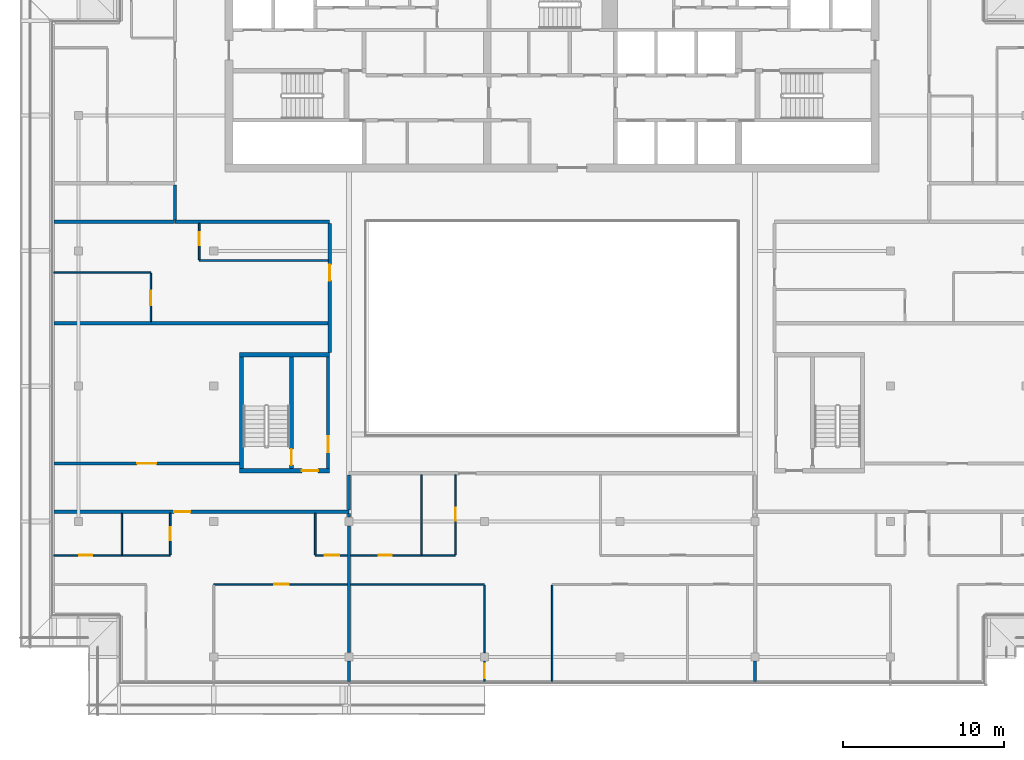
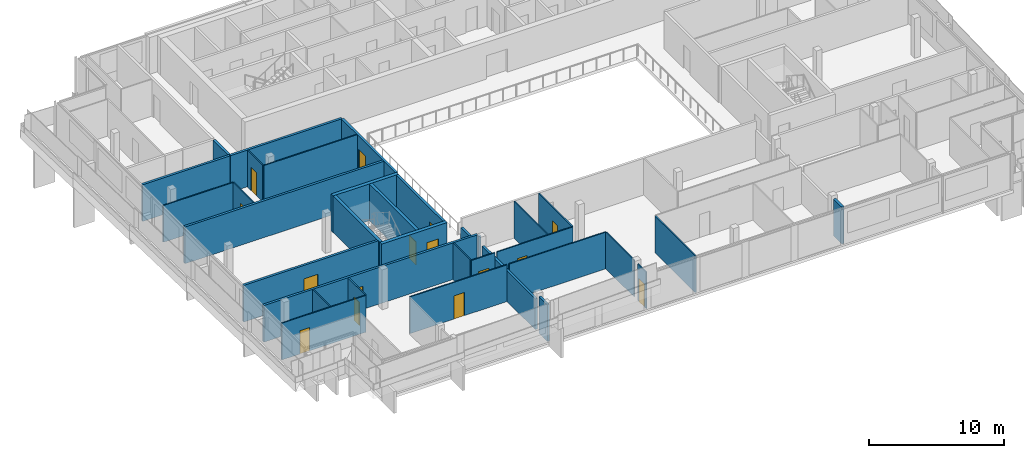
# One storey, part 15 of 27: 34 walls, 15 doors, 15 openings.
"""IFC4 building model written with IfcOpenShell, lengths in metres."""

from ifc_helpers import new_model, si_unit, direction, frame, frame_2d, origin, place, context, subcontext, project, spatial, rectangle, extrude, material, layer, layer_set, type_object, element, fill, save


model = new_model("IFC4")

# Units and contexts
model_context = context("Model", 3, precision=1e-05, world=origin(), true_north=direction((0.0, 1.0)))
body_context = subcontext(model_context, "Body", "Model", "MODEL_VIEW")
ifc_project = project(units=[si_unit("LENGTHUNIT", "METRE"), si_unit("AREAUNIT", "SQUARE_METRE"), si_unit("VOLUMEUNIT", "CUBIC_METRE"), si_unit("PLANEANGLEUNIT", "RADIAN"), si_unit("MASSUNIT", "GRAM", prefix="KILO")], contexts=[model_context])

# Site, building, storey
site_placement = place(None, origin())
site = spatial("IfcSite", under=ifc_project, at=site_placement, CompositionType="ELEMENT")
building_placement = place(site_placement, origin())
building = spatial("IfcBuilding", under=site, at=building_placement, Name="Saffron Gate Tower", CompositionType="ELEMENT")
storey_placement = place(building_placement, frame((0.0, 0.0, 274.35009765625)))
storey = spatial("IfcBuildingStorey", under=building, at=storey_placement, Name="L66", CompositionType="ELEMENT", Elevation=274.35009765625)

# Wall, opening, door
ifc_material_1 = material(Name="Gypsum board partition on steel studs", Category="steel")
ifc_layer_1 = layer(ifc_material_1, 0.199951171875)
ifc_layer_set_1 = layer_set([ifc_layer_1], Name="CW10 Core partition 200")
wall_type_1 = type_object("IfcWallType", Name="CW10 Core partition 200", PredefinedType="PARTITIONING", material=ifc_layer_set_1)
wall_1_placement = place(storey_placement, frame((73.699951171875, 43.5, 0.0), z_axis=(0.0, 0.0, 1.0), x_axis=(0.0, 1.0, 0.0)))
wall_1 = element("IfcWall", 1, at=wall_1_placement, inside=storey, type_object=wall_type_1, Name="Wall CW10-L66-D-4", PredefinedType="PARTITIONING", context=body_context, shape_type="SweptSolid", body=[
    extrude(rectangle(XDim=6.89990234375, YDim=0.199951171875, at=frame_2d((3.449951171875, 0.0))), origin(), (0.0, 0.0, 1.0), 3.31982421875),
])
opening_1_placement = place(wall_1_placement, frame((1.0, 0.0, 0.0)))
opening_1 = element("IfcOpeningElement", 2, at=opening_1_placement, cuts=wall_1, Name="Opening CR-19", PredefinedType="OPENING", context=body_context, shape_type="SweptSolid", body=[
    extrude(rectangle(XDim=1.0, YDim=2.10009765625, at=frame_2d((0.5, 1.050048828125))), frame((0.0, 0.10986328125, 0.0), z_axis=(0.0, -1.0, 0.0), x_axis=(1.0, 0.0, 0.0)), (0.0, 0.0, 1.0), 0.219970703125),
])
ifc_material_2 = material(Name="Steel fire door set", Category="steel")
door_type_1 = type_object("IfcDoorType", Name="CD4 Lobby door 1000x2100 EI 120", OperationType="NOTDEFINED", PredefinedType="DOOR", material=ifc_material_2)
door_1_placement = place(opening_1_placement, origin())
door_1 = element("IfcDoor", 3, at=door_1_placement, inside=storey, type_object=door_type_1, Name="DOOR CR-19", OperationType="SINGLE_SWING_RIGHT", OverallHeight=2.10009765625, OverallWidth=1.0, PredefinedType="DOOR", context=body_context, shape_type="SweptSolid", body=[
    extrude(rectangle(XDim=1.0, YDim=2.10009765625, at=frame_2d((0.5, 1.050048828125))), frame((0.0, 0.02490234375, 0.0), z_axis=(0.0, -1.0, 0.0), x_axis=(1.0, 0.0, 0.0)), (0.0, 0.0, 1.0), 0.050048828125),
])
fill(opening_1, door_1)

# Wall
ifc_material_3 = material(Name="Concrete C50", Category="concrete")
ifc_layer_2 = layer(ifc_material_3, 0.25)
ifc_layer_set_2 = layer_set([ifc_layer_2], Name="CW23 RC core wall 250 C50")
wall_type_2 = type_object("IfcWallType", Name="CW23 RC core wall 250 C50", PredefinedType="SOLIDWALL", material=ifc_layer_set_2)
wall_2_placement = place(storey_placement, frame((68.324951171875, 43.5, 0.0), z_axis=(0.0, 0.0, 1.0), x_axis=(0.0, 1.0, 0.0)))
element("IfcWall", 4, at=wall_2_placement, inside=storey, type_object=wall_type_2, Name="Wall CW23-L66-D-2", PredefinedType="SOLIDWALL", context=body_context, shape_type="SweptSolid", body=[
    extrude(rectangle(XDim=6.89990234375, YDim=0.25, at=frame_2d((3.449951171875, 0.0))), origin(), (0.0, 0.0, 1.0), 3.31982421875),
])

# Wall, opening, door
wall_3_placement = place(storey_placement, frame((71.425048828125, 43.5, 0.0), z_axis=(0.0, 0.0, 1.0), x_axis=(0.0, 1.0, 0.0)))
wall_3 = element("IfcWall", 5, at=wall_3_placement, inside=storey, type_object=wall_type_2, Name="Wall CW23-L66-D-3", PredefinedType="SOLIDWALL", context=body_context, shape_type="SweptSolid", body=[
    extrude(rectangle(XDim=6.89990234375, YDim=0.25, at=frame_2d((3.449951171875, 0.0))), origin(), (0.0, 0.0, 1.0), 3.31982421875),
])
opening_2_placement = place(wall_3_placement, frame((0.199951171875, 0.0, 0.0)))
opening_2 = element("IfcOpeningElement", 6, at=opening_2_placement, cuts=wall_3, Name="Opening CR-20", PredefinedType="OPENING", context=body_context, shape_type="SweptSolid", body=[
    extrude(rectangle(XDim=1.0, YDim=2.10009765625, at=frame_2d((0.5, 1.050048828125))), frame((0.0, 0.135009765625, 0.0), z_axis=(0.0, -1.0, 0.0), x_axis=(1.0, 0.0, 0.0)), (0.0, 0.0, 1.0), 0.27001953125),
])
door_type_2 = type_object("IfcDoorType", Name="CD5 Stair door 1000x2100 EI 120", OperationType="NOTDEFINED", PredefinedType="DOOR", material=ifc_material_2)
door_2_placement = place(opening_2_placement, origin())
door_2 = element("IfcDoor", 7, at=door_2_placement, inside=storey, type_object=door_type_2, Name="DOOR CR-20", OperationType="SINGLE_SWING_LEFT", OverallHeight=2.10009765625, OverallWidth=1.0, PredefinedType="DOOR", context=body_context, shape_type="SweptSolid", body=[
    extrude(rectangle(XDim=1.0, YDim=2.10009765625, at=frame_2d((0.5, 1.050048828125))), frame((0.0, 0.02490234375, 0.0), z_axis=(0.0, -1.0, 0.0), x_axis=(1.0, 0.0, 0.0)), (0.0, 0.0, 1.0), 0.050048828125),
])
fill(opening_2, door_2)

ifc_layer_3 = layer(ifc_material_3, 0.300048828125)
ifc_layer_set_3 = layer_set([ifc_layer_3], Name="CW26 RC core wall 300 C50")
wall_type_3 = type_object("IfcWallType", Name="CW26 RC core wall 300 C50", PredefinedType="SOLIDWALL", material=ifc_layer_set_3)
wall_4_placement = place(storey_placement, frame((68.199951171875, 43.35009765625, 0.0), z_axis=(0.0, 0.0, 1.0), x_axis=(1.0, 0.0, 0.0)))
wall_4 = element("IfcWall", 8, at=wall_4_placement, inside=storey, type_object=wall_type_3, Name="Wall CW26-L66-D-1", PredefinedType="SOLIDWALL", context=body_context, shape_type="SweptSolid", body=[
    extrude(rectangle(XDim=5.60009765625, YDim=0.300048828125, at=frame_2d((2.800048828125, 0.0))), origin(), (0.0, 0.0, 1.0), 3.31982421875),
])
opening_3_placement = place(wall_4_placement, frame((3.875, 0.0, 0.0)))
opening_3 = element("IfcOpeningElement", 9, at=opening_3_placement, cuts=wall_4, Name="Opening CR-18", PredefinedType="OPENING", context=body_context, shape_type="SweptSolid", body=[
    extrude(rectangle(XDim=1.0, YDim=2.10009765625, at=frame_2d((0.5, 1.050048828125))), frame((0.0, 0.16015625, 0.0), z_axis=(0.0, -1.0, 0.0), x_axis=(1.0, 0.0, 0.0)), (0.0, 0.0, 1.0), 0.320068359375),
])
door_3_placement = place(opening_3_placement, origin())
door_3 = element("IfcDoor", 10, at=door_3_placement, inside=storey, type_object=door_type_1, Name="DOOR CR-18", OperationType="SINGLE_SWING_RIGHT", OverallHeight=2.10009765625, OverallWidth=1.0, PredefinedType="DOOR", context=body_context, shape_type="SweptSolid", body=[
    extrude(rectangle(XDim=1.0, YDim=2.10009765625, at=frame_2d((0.5, 1.050048828125))), frame((0.0, 0.02490234375, 0.0), z_axis=(0.0, -1.0, 0.0), x_axis=(1.0, 0.0, 0.0)), (0.0, 0.0, 1.0), 0.050048828125),
])
fill(opening_3, door_3)

# Wall
wall_5_placement = place(storey_placement, frame((68.199951171875, 50.550048828125, 0.0), z_axis=(0.0, 0.0, 1.0), x_axis=(1.0, 0.0, 0.0)))
element("IfcWall", 11, at=wall_5_placement, inside=storey, type_object=wall_type_3, Name="Wall CW26-L66-D-5", PredefinedType="SOLIDWALL", context=body_context, shape_type="SweptSolid", body=[
    extrude(rectangle(XDim=5.60009765625, YDim=0.300048828125, at=frame_2d((2.800048828125, 0.0))), origin(), (0.0, 0.0, 1.0), 3.31982421875),
])

# Wall, opening, door
ifc_material_4 = material(Name="Plasterboard on steel studs", Category="steel")
ifc_layer_4 = layer(ifc_material_4, 0.10009765625)
ifc_layer_set_4 = layer_set([ifc_layer_4], Name="PW1 Partition 100")
wall_type_4 = type_object("IfcWallType", Name="PW1 Partition 100", PredefinedType="PARTITIONING", material=ifc_layer_set_4)
wall_6_placement = place(storey_placement, frame((56.679931640625, 38.10009765625, 0.0), z_axis=(0.0, 0.0, 1.0), x_axis=(1.0, 0.0, 0.0)))
wall_6 = element("IfcWall", 12, at=wall_6_placement, inside=storey, type_object=wall_type_4, Name="Partition E3-3", PredefinedType="PARTITIONING", context=body_context, shape_type="SweptSolid", body=[
    extrude(rectangle(XDim=7.219970703125, YDim=0.10009765625, at=frame_2d((3.60986328125, 0.0))), origin(), (0.0, 0.0, 1.0), 3.31982421875),
])
opening_4_placement = place(wall_6_placement, frame((1.570068359375, 0.0, 0.0)))
opening_4 = element("IfcOpeningElement", 13, at=opening_4_placement, cuts=wall_6, Name="Opening E3-22", PredefinedType="OPENING", context=body_context, shape_type="SweptSolid", body=[
    extrude(rectangle(XDim=0.800048828125, YDim=2.10009765625, at=frame_2d((0.39990234375, 1.050048828125))), frame((0.0, 0.06005859375, 0.0), z_axis=(0.0, -1.0, 0.0), x_axis=(1.0, 0.0, 0.0)), (0.0, 0.0, 1.0), 0.1201171875),
])
ifc_material_5 = material(Name="Timber door set", Category="wood")
door_type_3 = type_object("IfcDoorType", Name="RD2 Bathroom door 800x2100", OperationType="NOTDEFINED", PredefinedType="DOOR", material=ifc_material_5)
door_4_placement = place(opening_4_placement, origin())
door_4 = element("IfcDoor", 14, at=door_4_placement, inside=storey, type_object=door_type_3, Name="Door E3-22", OperationType="SINGLE_SWING_LEFT", OverallHeight=2.10009765625, OverallWidth=0.800048828125, PredefinedType="DOOR", context=body_context, shape_type="SweptSolid", body=[
    extrude(rectangle(XDim=0.800048828125, YDim=2.10009765625, at=frame_2d((0.39990234375, 1.050048828125))), frame((0.0, 0.02490234375, 0.0), z_axis=(0.0, -1.0, 0.0), x_axis=(1.0, 0.0, 0.0)), (0.0, 0.0, 1.0), 0.050048828125),
])
fill(opening_4, door_4)

# Walls
wall_7_placement = place(storey_placement, frame((56.679931640625, 55.64990234375, 0.0), z_axis=(0.0, 0.0, 1.0), x_axis=(1.0, 0.0, 0.0)))
element("IfcWall", 15, at=wall_7_placement, inside=storey, type_object=wall_type_4, Name="Partition E3-15", PredefinedType="PARTITIONING", context=body_context, shape_type="SweptSolid", body=[
    extrude(rectangle(XDim=6.02001953125, YDim=0.10009765625, at=frame_2d((3.010009765625, 0.0))), origin(), (0.0, 0.0, 1.0), 3.31982421875),
])
wall_8_placement = place(storey_placement, frame((65.699951171875, 56.39990234375, 0.0), z_axis=(0.0, 0.0, 1.0), x_axis=(1.0, 0.0, 0.0)))
element("IfcWall", 16, at=wall_8_placement, inside=storey, type_object=wall_type_4, Name="Partition E3-17", PredefinedType="PARTITIONING", context=body_context, shape_type="SweptSolid", body=[
    extrude(rectangle(XDim=8.0, YDim=0.10009765625, at=frame_2d((4.0, 0.0))), origin(), (0.0, 0.0, 1.0), 3.31982421875),
])
wall_9_placement = place(storey_placement, frame((60.89990234375, 40.699951171875, 0.0), z_axis=(0.0, 0.0, 1.0), x_axis=(0.0, -1.0, 0.0)))
element("IfcWall", 17, at=wall_9_placement, inside=storey, type_object=wall_type_4, Name="Partition E3-33", PredefinedType="PARTITIONING", context=body_context, shape_type="SweptSolid", body=[
    extrude(rectangle(XDim=2.550048828125, YDim=0.10009765625, at=frame_2d((1.27490234375, 0.0))), origin(), (0.0, 0.0, 1.0), 3.31982421875),
])

# Wall, opening, door
wall_10_placement = place(storey_placement, frame((62.699951171875, 52.60009765625, 0.0), z_axis=(0.0, 0.0, 1.0), x_axis=(0.0, 1.0, 0.0)))
wall_10 = element("IfcWall", 18, at=wall_10_placement, inside=storey, type_object=wall_type_4, Name="Partition E3-36", PredefinedType="PARTITIONING", context=body_context, shape_type="SweptSolid", body=[
    extrude(rectangle(XDim=3.0, YDim=0.10009765625, at=frame_2d((1.5, 0.0))), origin(), (0.0, 0.0, 1.0), 3.31982421875),
])
opening_5_placement = place(wall_10_placement, frame((1.02490234375, 0.0, 0.0)))
opening_5 = element("IfcOpeningElement", 19, at=opening_5_placement, cuts=wall_10, Name="Opening E3-18", PredefinedType="OPENING", context=body_context, shape_type="SweptSolid", body=[
    extrude(rectangle(XDim=0.89990234375, YDim=2.10009765625, at=frame_2d((0.449951171875, 1.050048828125))), frame((0.0, 0.06005859375, 0.0), z_axis=(0.0, -1.0, 0.0), x_axis=(1.0, 0.0, 0.0)), (0.0, 0.0, 1.0), 0.1201171875),
])
door_type_4 = type_object("IfcDoorType", Name="RD1 Room door 900x2100", OperationType="NOTDEFINED", PredefinedType="DOOR", material=ifc_material_5)
door_5_placement = place(opening_5_placement, origin())
door_5 = element("IfcDoor", 20, at=door_5_placement, inside=storey, type_object=door_type_4, Name="Door E3-18", OperationType="SINGLE_SWING_LEFT", OverallHeight=2.10009765625, OverallWidth=0.89990234375, PredefinedType="DOOR", context=body_context, shape_type="SweptSolid", body=[
    extrude(rectangle(XDim=0.89990234375, YDim=2.10009765625, at=frame_2d((0.449951171875, 1.050048828125))), frame((0.0, 0.02490234375, 0.0), z_axis=(0.0, -1.0, 0.0), x_axis=(1.0, 0.0, 0.0)), (0.0, 0.0, 1.0), 0.050048828125),
])
fill(opening_5, door_5)

wall_11_placement = place(storey_placement, frame((63.89990234375, 38.14990234375, 0.0), z_axis=(0.0, 0.0, 1.0), x_axis=(0.0, 1.0, 0.0)))
wall_11 = element("IfcWall", 21, at=wall_11_placement, inside=storey, type_object=wall_type_4, Name="Partition E3-37", PredefinedType="PARTITIONING", context=body_context, shape_type="SweptSolid", body=[
    extrude(rectangle(XDim=2.550048828125, YDim=0.10009765625, at=frame_2d((1.27490234375, 0.0))), origin(), (0.0, 0.0, 1.0), 3.31982421875),
])
opening_6_placement = place(wall_11_placement, frame((0.89990234375, 0.0, 0.0)))
opening_6 = element("IfcOpeningElement", 22, at=opening_6_placement, cuts=wall_11, Name="Opening E3-23", PredefinedType="OPENING", context=body_context, shape_type="SweptSolid", body=[
    extrude(rectangle(XDim=0.800048828125, YDim=2.10009765625, at=frame_2d((0.39990234375, 1.050048828125))), frame((0.0, 0.06005859375, 0.0), z_axis=(0.0, -1.0, 0.0), x_axis=(1.0, 0.0, 0.0)), (0.0, 0.0, 1.0), 0.1201171875),
])
door_6_placement = place(opening_6_placement, origin())
door_6 = element("IfcDoor", 23, at=door_6_placement, inside=storey, type_object=door_type_3, Name="Door E3-23", OperationType="SINGLE_SWING_RIGHT", OverallHeight=2.10009765625, OverallWidth=0.800048828125, PredefinedType="DOOR", context=body_context, shape_type="SweptSolid", body=[
    extrude(rectangle(XDim=0.800048828125, YDim=2.10009765625, at=frame_2d((0.39990234375, 1.050048828125))), frame((0.0, 0.02490234375, 0.0), z_axis=(0.0, -1.0, 0.0), x_axis=(1.0, 0.0, 0.0)), (0.0, 0.0, 1.0), 0.050048828125),
])
fill(opening_6, door_6)

wall_12_placement = place(storey_placement, frame((65.699951171875, 58.699951171875, 0.0), z_axis=(0.0, 0.0, 1.0), x_axis=(0.0, -1.0, 0.0)))
wall_12 = element("IfcWall", 24, at=wall_12_placement, inside=storey, type_object=wall_type_4, Name="Partition E3-40", PredefinedType="PARTITIONING", context=body_context, shape_type="SweptSolid", body=[
    extrude(rectangle(XDim=2.25, YDim=0.10009765625, at=frame_2d((1.125, 0.0))), origin(), (0.0, 0.0, 1.0), 3.31982421875),
])
opening_7_placement = place(wall_12_placement, frame((0.550048828125, 0.0, 0.0)))
opening_7 = element("IfcOpeningElement", 25, at=opening_7_placement, cuts=wall_12, Name="Opening E3-28", PredefinedType="OPENING", context=body_context, shape_type="SweptSolid", body=[
    extrude(rectangle(XDim=0.800048828125, YDim=2.10009765625, at=frame_2d((0.39990234375, 1.050048828125))), frame((0.0, 0.06005859375, 0.0), z_axis=(0.0, -1.0, 0.0), x_axis=(1.0, 0.0, 0.0)), (0.0, 0.0, 1.0), 0.1201171875),
])
door_7_placement = place(opening_7_placement, origin())
door_7 = element("IfcDoor", 26, at=door_7_placement, inside=storey, type_object=door_type_3, Name="Door E3-28", OperationType="SINGLE_SWING_LEFT", OverallHeight=2.10009765625, OverallWidth=0.800048828125, PredefinedType="DOOR", context=body_context, shape_type="SweptSolid", body=[
    extrude(rectangle(XDim=0.800048828125, YDim=2.10009765625, at=frame_2d((0.39990234375, 1.050048828125))), frame((0.0, 0.02490234375, 0.0), z_axis=(0.0, -1.0, 0.0), x_axis=(1.0, 0.0, 0.0)), (0.0, 0.0, 1.0), 0.050048828125),
])
fill(opening_7, door_7)

# Walls
wall_13_placement = place(storey_placement, frame((72.89990234375, 40.699951171875, 0.0), z_axis=(0.0, 0.0, 1.0), x_axis=(0.0, -1.0, 0.0)))
element("IfcWall", 27, at=wall_13_placement, inside=storey, type_object=wall_type_4, Name="Partition E3-43", PredefinedType="PARTITIONING", context=body_context, shape_type="SweptSolid", body=[
    extrude(rectangle(XDim=2.550048828125, YDim=0.10009765625, at=frame_2d((1.27490234375, 0.0))), origin(), (0.0, 0.0, 1.0), 3.31982421875),
])
wall_14_placement = place(storey_placement, frame((79.5, 43.10009765625, 0.0), z_axis=(0.0, 0.0, 1.0), x_axis=(0.0, -1.0, 0.0)))
element("IfcWall", 28, at=wall_14_placement, inside=storey, type_object=wall_type_4, Name="Partition E3-49", PredefinedType="PARTITIONING", context=body_context, shape_type="SweptSolid", body=[
    extrude(rectangle(XDim=4.9501953125, YDim=0.10009765625, at=frame_2d((2.47509765625, 0.0))), origin(), (0.0, 0.0, 1.0), 3.31982421875),
])

# Wall, opening, door
wall_15_placement = place(storey_placement, frame((81.60009765625, 38.14990234375, 0.0), z_axis=(0.0, 0.0, 1.0), x_axis=(0.0, 1.0, 0.0)))
wall_15 = element("IfcWall", 29, at=wall_15_placement, inside=storey, type_object=wall_type_4, Name="Partition E3-50", PredefinedType="PARTITIONING", context=body_context, shape_type="SweptSolid", body=[
    extrude(rectangle(XDim=4.9501953125, YDim=0.10009765625, at=frame_2d((2.47509765625, 0.0))), origin(), (0.0, 0.0, 1.0), 3.31982421875),
])
opening_8_placement = place(wall_15_placement, frame((2.10009765625, 0.0, 0.0)))
opening_8 = element("IfcOpeningElement", 30, at=opening_8_placement, cuts=wall_15, Name="Opening E3-25", PredefinedType="OPENING", context=body_context, shape_type="SweptSolid", body=[
    extrude(rectangle(XDim=0.800048828125, YDim=2.10009765625, at=frame_2d((0.39990234375, 1.050048828125))), frame((0.0, 0.06005859375, 0.0), z_axis=(0.0, -1.0, 0.0), x_axis=(1.0, 0.0, 0.0)), (0.0, 0.0, 1.0), 0.1201171875),
])
door_8_placement = place(opening_8_placement, origin())
door_8 = element("IfcDoor", 31, at=door_8_placement, inside=storey, type_object=door_type_3, Name="Door E3-25", OperationType="SINGLE_SWING_RIGHT", OverallHeight=2.10009765625, OverallWidth=0.800048828125, PredefinedType="DOOR", context=body_context, shape_type="SweptSolid", body=[
    extrude(rectangle(XDim=0.800048828125, YDim=2.10009765625, at=frame_2d((0.39990234375, 1.050048828125))), frame((0.0, 0.02490234375, 0.0), z_axis=(0.0, -1.0, 0.0), x_axis=(1.0, 0.0, 0.0)), (0.0, 0.0, 1.0), 0.050048828125),
])
fill(opening_8, door_8)

wall_16_placement = place(storey_placement, frame((83.39990234375, 30.280029296875, 0.0), z_axis=(0.0, 0.0, 1.0), x_axis=(0.0, 1.0, 0.0)))
wall_16 = element("IfcWall", 32, at=wall_16_placement, inside=storey, type_object=wall_type_4, Name="Partition E3-51", PredefinedType="PARTITIONING", context=body_context, shape_type="SweptSolid", body=[
    extrude(rectangle(XDim=1.25, YDim=0.10009765625, at=frame_2d((0.625, 0.0))), origin(), (0.0, 0.0, 1.0), 3.31982421875),
])
opening_9_placement = place(wall_16_placement, frame((0.199951171875, 0.0, 0.0)))
opening_9 = element("IfcOpeningElement", 33, at=opening_9_placement, cuts=wall_16, Name="Opening E3-11", PredefinedType="OPENING", context=body_context, shape_type="SweptSolid", body=[
    extrude(rectangle(XDim=0.89990234375, YDim=2.10009765625, at=frame_2d((0.449951171875, 1.050048828125))), frame((0.0, 0.06005859375, 0.0), z_axis=(0.0, -1.0, 0.0), x_axis=(1.0, 0.0, 0.0)), (0.0, 0.0, 1.0), 0.1201171875),
])
door_9_placement = place(opening_9_placement, origin())
door_9 = element("IfcDoor", 34, at=door_9_placement, inside=storey, type_object=door_type_4, Name="Door E3-11", OperationType="SINGLE_SWING_RIGHT", OverallHeight=2.10009765625, OverallWidth=0.89990234375, PredefinedType="DOOR", context=body_context, shape_type="SweptSolid", body=[
    extrude(rectangle(XDim=0.89990234375, YDim=2.10009765625, at=frame_2d((0.449951171875, 1.050048828125))), frame((0.0, 0.02490234375, 0.0), z_axis=(0.0, -1.0, 0.0), x_axis=(1.0, 0.0, 0.0)), (0.0, 0.0, 1.0), 0.050048828125),
])
fill(opening_9, door_9)

# Walls
wall_17_placement = place(storey_placement, frame((83.39990234375, 36.25, 0.0), z_axis=(0.0, 0.0, 1.0), x_axis=(0.0, -1.0, 0.0)))
element("IfcWall", 35, at=wall_17_placement, inside=storey, type_object=wall_type_4, Name="Partition E3-52", PredefinedType="PARTITIONING", context=body_context, shape_type="SweptSolid", body=[
    extrude(rectangle(XDim=4.179931640625, YDim=0.10009765625, at=frame_2d((2.08984375, 0.0))), origin(), (0.0, 0.0, 1.0), 3.31982421875),
])
wall_18_placement = place(storey_placement, frame((87.60009765625, 36.25, 0.0), z_axis=(0.0, 0.0, 1.0), x_axis=(0.0, -1.0, 0.0)))
element("IfcWall", 36, at=wall_18_placement, inside=storey, type_object=wall_type_4, Name="Partition E3-53", PredefinedType="PARTITIONING", context=body_context, shape_type="SweptSolid", body=[
    extrude(rectangle(XDim=5.969970703125, YDim=0.10009765625, at=frame_2d((2.98486328125, 0.0))), origin(), (0.0, 0.0, 1.0), 3.31982421875),
])

# Wall, opening, door
wall_19_placement = place(storey_placement, frame((74.89990234375, 36.300048828125, 0.0), z_axis=(0.0, 0.0, 1.0), x_axis=(-1.0, 0.0, 0.0)))
wall_19 = element("IfcWall", 37, at=wall_19_placement, inside=storey, type_object=wall_type_4, Name="Partition E3-74", PredefinedType="PARTITIONING", context=body_context, shape_type="SweptSolid", body=[
    extrude(rectangle(XDim=8.2998046875, YDim=0.10009765625, at=frame_2d((4.14990234375, 0.0))), origin(), (0.0, 0.0, 1.0), 3.31982421875),
])
opening_10_placement = place(wall_19_placement, frame((3.64990234375, 0.0, 0.0)))
opening_10 = element("IfcOpeningElement", 38, at=opening_10_placement, cuts=wall_19, Name="Opening E3-9", PredefinedType="OPENING", context=body_context, shape_type="SweptSolid", body=[
    extrude(rectangle(XDim=0.89990234375, YDim=2.10009765625, at=frame_2d((0.449951171875, 1.050048828125))), frame((0.0, 0.06005859375, 0.0), z_axis=(0.0, -1.0, 0.0), x_axis=(1.0, 0.0, 0.0)), (0.0, 0.0, 1.0), 0.1201171875),
])
door_10_placement = place(opening_10_placement, origin())
door_10 = element("IfcDoor", 39, at=door_10_placement, inside=storey, type_object=door_type_4, Name="Door E3-9", OperationType="SINGLE_SWING_LEFT", OverallHeight=2.10009765625, OverallWidth=0.89990234375, PredefinedType="DOOR", context=body_context, shape_type="SweptSolid", body=[
    extrude(rectangle(XDim=0.89990234375, YDim=2.10009765625, at=frame_2d((0.449951171875, 1.050048828125))), frame((0.0, 0.02490234375, 0.0), z_axis=(0.0, -1.0, 0.0), x_axis=(1.0, 0.0, 0.0)), (0.0, 0.0, 1.0), 0.050048828125),
])
fill(opening_10, door_10)

# Wall
wall_20_placement = place(storey_placement, frame((75.10009765625, 36.300048828125, 0.0), z_axis=(0.0, 0.0, 1.0), x_axis=(1.0, 0.0, 0.0)))
element("IfcWall", 40, at=wall_20_placement, inside=storey, type_object=wall_type_4, Name="Partition E3-75", PredefinedType="PARTITIONING", context=body_context, shape_type="SweptSolid", body=[
    extrude(rectangle(XDim=8.2998046875, YDim=0.10009765625, at=frame_2d((4.14990234375, 0.0))), origin(), (0.0, 0.0, 1.0), 3.31982421875),
])

# Wall, opening, door
wall_21_placement = place(storey_placement, frame((72.89990234375, 38.10009765625, 0.0), z_axis=(0.0, 0.0, 1.0), x_axis=(1.0, 0.0, 0.0)))
wall_21 = element("IfcWall", 41, at=wall_21_placement, inside=storey, type_object=wall_type_4, Name="Partition E3-78", PredefinedType="PARTITIONING", context=body_context, shape_type="SweptSolid", body=[
    extrude(rectangle(XDim=2.0, YDim=0.10009765625, at=frame_2d((1.0, 0.0))), origin(), (0.0, 0.0, 1.0), 3.31982421875),
])
opening_11_placement = place(wall_21_placement, frame((0.60009765625, 0.0, 0.0)))
opening_11 = element("IfcOpeningElement", 42, at=opening_11_placement, cuts=wall_21, Name="Opening E3-10", PredefinedType="OPENING", context=body_context, shape_type="SweptSolid", body=[
    extrude(rectangle(XDim=0.89990234375, YDim=2.10009765625, at=frame_2d((0.449951171875, 1.050048828125))), frame((0.0, 0.06005859375, 0.0), z_axis=(0.0, -1.0, 0.0), x_axis=(1.0, 0.0, 0.0)), (0.0, 0.0, 1.0), 0.1201171875),
])
door_11_placement = place(opening_11_placement, origin())
door_11 = element("IfcDoor", 43, at=door_11_placement, inside=storey, type_object=door_type_4, Name="Door E3-10", OperationType="SINGLE_SWING_RIGHT", OverallHeight=2.10009765625, OverallWidth=0.89990234375, PredefinedType="DOOR", context=body_context, shape_type="SweptSolid", body=[
    extrude(rectangle(XDim=0.89990234375, YDim=2.10009765625, at=frame_2d((0.449951171875, 1.050048828125))), frame((0.0, 0.02490234375, 0.0), z_axis=(0.0, -1.0, 0.0), x_axis=(1.0, 0.0, 0.0)), (0.0, 0.0, 1.0), 0.050048828125),
])
fill(opening_11, door_11)

wall_22_placement = place(storey_placement, frame((75.10009765625, 38.10009765625, 0.0), z_axis=(0.0, 0.0, 1.0), x_axis=(1.0, 0.0, 0.0)))
wall_22 = element("IfcWall", 44, at=wall_22_placement, inside=storey, type_object=wall_type_4, Name="Partition E3-79", PredefinedType="PARTITIONING", context=body_context, shape_type="SweptSolid", body=[
    extrude(rectangle(XDim=6.5, YDim=0.10009765625, at=frame_2d((3.25, 0.0))), origin(), (0.0, 0.0, 1.0), 3.31982421875),
])
opening_12_placement = place(wall_22_placement, frame((1.75, 0.0, 0.0)))
opening_12 = element("IfcOpeningElement", 45, at=opening_12_placement, cuts=wall_22, Name="Opening E3-24", PredefinedType="OPENING", context=body_context, shape_type="SweptSolid", body=[
    extrude(rectangle(XDim=0.800048828125, YDim=2.10009765625, at=frame_2d((0.39990234375, 1.050048828125))), frame((0.0, 0.06005859375, 0.0), z_axis=(0.0, -1.0, 0.0), x_axis=(1.0, 0.0, 0.0)), (0.0, 0.0, 1.0), 0.1201171875),
])
door_12_placement = place(opening_12_placement, origin())
door_12 = element("IfcDoor", 46, at=door_12_placement, inside=storey, type_object=door_type_3, Name="Door E3-24", OperationType="SINGLE_SWING_LEFT", OverallHeight=2.10009765625, OverallWidth=0.800048828125, PredefinedType="DOOR", context=body_context, shape_type="SweptSolid", body=[
    extrude(rectangle(XDim=0.800048828125, YDim=2.10009765625, at=frame_2d((0.39990234375, 1.050048828125))), frame((0.0, 0.02490234375, 0.0), z_axis=(0.0, -1.0, 0.0), x_axis=(1.0, 0.0, 0.0)), (0.0, 0.0, 1.0), 0.050048828125),
])
fill(opening_12, door_12)

# Walls
ifc_material_6 = material(Name="Clay brick masonry, rendered", Category="masonry")
ifc_layer_5 = layer(ifc_material_6, 0.199951171875)
ifc_layer_set_5 = layer_set([ifc_layer_5], Name="PW2 Demising wall 200")
wall_type_5 = type_object("IfcWallType", Name="PW2 Demising wall 200", PredefinedType="PARTITIONING", material=ifc_layer_set_5)
wall_23_placement = place(storey_placement, frame((75.0, 31.530029296875, 0.0), z_axis=(0.0, 0.0, 1.0), x_axis=(0.0, -1.0, 0.0)))
element("IfcWall", 47, at=wall_23_placement, inside=storey, type_object=wall_type_5, Name="Wall E3-46", PredefinedType="PARTITIONING", context=body_context, shape_type="SweptSolid", body=[
    extrude(rectangle(XDim=1.25, YDim=0.199951171875, at=frame_2d((0.625, 0.0))), origin(), (0.0, 0.0, 1.0), 3.31982421875),
])
wall_24_placement = place(storey_placement, frame((75.0, 39.929931640625, 0.0), z_axis=(0.0, 0.0, 1.0), x_axis=(0.0, -1.0, 0.0)))
element("IfcWall", 48, at=wall_24_placement, inside=storey, type_object=wall_type_5, Name="Wall E3-47", PredefinedType="PARTITIONING", context=body_context, shape_type="SweptSolid", body=[
    extrude(rectangle(XDim=7.85986328125, YDim=0.199951171875, at=frame_2d((3.929931640625, 0.0))), origin(), (0.0, 0.0, 1.0), 2.77001953125),
])
wall_25_placement = place(storey_placement, frame((75.0, 40.699951171875, 0.0), z_axis=(0.0, 0.0, 1.0), x_axis=(0.0, -1.0, 0.0)))
element("IfcWall", 49, at=wall_25_placement, inside=storey, type_object=wall_type_5, Name="Wall E3-48", PredefinedType="PARTITIONING", context=body_context, shape_type="SweptSolid", body=[
    extrude(rectangle(XDim=0.22998046875, YDim=0.199951171875, at=frame_2d((0.114990234375, 0.0))), origin(), (0.0, 0.0, 1.0), 3.31982421875),
])
wall_26_placement = place(storey_placement, frame((100.199951171875, 31.530029296875, 0.0), z_axis=(0.0, 0.0, 1.0), x_axis=(0.0, -1.0, 0.0)))
element("IfcWall", 50, at=wall_26_placement, inside=storey, type_object=wall_type_5, Name="Wall E3-57", PredefinedType="PARTITIONING", context=body_context, shape_type="SweptSolid", body=[
    extrude(rectangle(XDim=1.25, YDim=0.199951171875, at=frame_2d((0.625, 0.0))), origin(), (0.0, 0.0, 1.0), 3.31982421875),
])

# Wall, opening, door
ifc_layer_6 = layer(ifc_material_6, 0.199951171875)
ifc_layer_set_6 = layer_set([ifc_layer_6], Name="PW3 Corridor wall 200")
wall_type_6 = type_object("IfcWallType", Name="PW3 Corridor wall 200", PredefinedType="PARTITIONING", material=ifc_layer_set_6)
wall_27_placement = place(storey_placement, frame((75.0, 40.800048828125, 0.0), z_axis=(0.0, 0.0, 1.0), x_axis=(-1.0, 0.0, 0.0)))
wall_27 = element("IfcWall", 51, at=wall_27_placement, inside=storey, type_object=wall_type_6, Name="Wall E3-7", PredefinedType="PARTITIONING", context=body_context, shape_type="SweptSolid", body=[
    extrude(rectangle(XDim=18.320068359375, YDim=0.199951171875, at=frame_2d((9.16015625, 0.0))), origin(), (0.0, 0.0, 1.0), 3.31982421875),
])
opening_13_placement = place(wall_27_placement, frame((9.85009765625, 0.0, 0.0)))
opening_13 = element("IfcOpeningElement", 52, at=opening_13_placement, cuts=wall_27, Name="Opening E3-1", PredefinedType="OPENING", context=body_context, shape_type="SweptSolid", body=[
    extrude(rectangle(XDim=1.0, YDim=2.10009765625, at=frame_2d((0.5, 1.050048828125))), frame((0.0, 0.10986328125, 0.0), z_axis=(0.0, -1.0, 0.0), x_axis=(1.0, 0.0, 0.0)), (0.0, 0.0, 1.0), 0.219970703125),
])
ifc_material_7 = material(Name="Timber fire door set", Category="wood")
door_type_5 = type_object("IfcDoorType", Name="FD1 Flat entry door 1000x2100", OperationType="NOTDEFINED", PredefinedType="DOOR", material=ifc_material_7)
door_13_placement = place(opening_13_placement, origin())
door_13 = element("IfcDoor", 53, at=door_13_placement, inside=storey, type_object=door_type_5, Name="Door E3-1", OperationType="SINGLE_SWING_LEFT", OverallHeight=2.10009765625, OverallWidth=1.0, PredefinedType="DOOR", context=body_context, shape_type="SweptSolid", body=[
    extrude(rectangle(XDim=1.0, YDim=2.10009765625, at=frame_2d((0.5, 1.050048828125))), frame((0.0, 0.02490234375, 0.0), z_axis=(0.0, -1.0, 0.0), x_axis=(1.0, 0.0, 0.0)), (0.0, 0.0, 1.0), 0.050048828125),
])
fill(opening_13, door_13)

wall_28_placement = place(storey_placement, frame((56.679931640625, 43.800048828125, 0.0), z_axis=(0.0, 0.0, 1.0), x_axis=(1.0, 0.0, 0.0)))
wall_28 = element("IfcWall", 54, at=wall_28_placement, inside=storey, type_object=wall_type_6, Name="Wall E3-10", PredefinedType="PARTITIONING", context=body_context, shape_type="SweptSolid", body=[
    extrude(rectangle(XDim=11.52001953125, YDim=0.199951171875, at=frame_2d((5.760009765625, 0.0))), origin(), (0.0, 0.0, 1.0), 3.31982421875),
])
opening_14_placement = place(wall_28_placement, frame((5.159912109375, 0.0, 0.0)))
opening_14 = element("IfcOpeningElement", 55, at=opening_14_placement, cuts=wall_28, Name="Opening E3-33", PredefinedType="OPENING", context=body_context, shape_type="SweptSolid", body=[
    extrude(rectangle(XDim=1.199951171875, YDim=2.10009765625, at=frame_2d((0.60009765625, 1.050048828125))), frame((0.0, 0.10986328125, 0.0), z_axis=(0.0, -1.0, 0.0), x_axis=(1.0, 0.0, 0.0)), (0.0, 0.0, 1.0), 0.219970703125),
])
door_type_6 = type_object("IfcDoorType", Name="HD1 Hall door 1200x2100", OperationType="NOTDEFINED", PredefinedType="DOOR", material=ifc_material_5)
door_14_placement = place(opening_14_placement, origin())
door_14 = element("IfcDoor", 56, at=door_14_placement, inside=storey, type_object=door_type_6, Name="Door E3-33", OperationType="SINGLE_SWING_LEFT", OverallHeight=2.10009765625, OverallWidth=1.199951171875, PredefinedType="DOOR", context=body_context, shape_type="SweptSolid", body=[
    extrude(rectangle(XDim=1.199951171875, YDim=2.10009765625, at=frame_2d((0.60009765625, 1.050048828125))), frame((0.0, 0.02490234375, 0.0), z_axis=(0.0, -1.0, 0.0), x_axis=(1.0, 0.0, 0.0)), (0.0, 0.0, 1.0), 0.050048828125),
])
fill(opening_14, door_14)

# Wall
wall_29_placement = place(storey_placement, frame((64.199951171875, 58.800048828125, 0.0), z_axis=(0.0, 0.0, 1.0), x_axis=(1.0, 0.0, 0.0)))
element("IfcWall", 57, at=wall_29_placement, inside=storey, type_object=wall_type_6, Name="Wall E3-18", PredefinedType="PARTITIONING", context=body_context, shape_type="SweptSolid", body=[
    extrude(rectangle(XDim=9.60009765625, YDim=0.199951171875, at=frame_2d((4.800048828125, 0.0))), origin(), (0.0, 0.0, 1.0), 3.31982421875),
])

# Wall, opening, door
wall_30_placement = place(storey_placement, frame((73.800048828125, 50.699951171875, 0.0), z_axis=(0.0, 0.0, 1.0), x_axis=(0.0, 1.0, 0.0)))
wall_30 = element("IfcWall", 58, at=wall_30_placement, inside=storey, type_object=wall_type_6, Name="Wall E3-44", PredefinedType="PARTITIONING", context=body_context, shape_type="SweptSolid", body=[
    extrude(rectangle(XDim=8.0, YDim=0.199951171875, at=frame_2d((4.0, 0.0))), origin(), (0.0, 0.0, 1.0), 3.31982421875),
])
opening_15_placement = place(wall_30_placement, frame((4.449951171875, 0.0, 0.0)))
opening_15 = element("IfcOpeningElement", 59, at=opening_15_placement, cuts=wall_30, Name="Opening E3-4", PredefinedType="OPENING", context=body_context, shape_type="SweptSolid", body=[
    extrude(rectangle(XDim=1.0, YDim=2.10009765625, at=frame_2d((0.5, 1.050048828125))), frame((0.0, 0.10986328125, 0.0), z_axis=(0.0, -1.0, 0.0), x_axis=(1.0, 0.0, 0.0)), (0.0, 0.0, 1.0), 0.219970703125),
])
door_15_placement = place(opening_15_placement, origin())
door_15 = element("IfcDoor", 60, at=door_15_placement, inside=storey, type_object=door_type_5, Name="Door E3-4", OperationType="SINGLE_SWING_RIGHT", OverallHeight=2.10009765625, OverallWidth=1.0, PredefinedType="DOOR", context=body_context, shape_type="SweptSolid", body=[
    extrude(rectangle(XDim=1.0, YDim=2.10009765625, at=frame_2d((0.5, 1.050048828125))), frame((0.0, 0.02490234375, 0.0), z_axis=(0.0, -1.0, 0.0), x_axis=(1.0, 0.0, 0.0)), (0.0, 0.0, 1.0), 0.050048828125),
])
fill(opening_15, door_15)

# Walls
wall_31_placement = place(storey_placement, frame((75.0, 43.10009765625, 0.0), z_axis=(0.0, 0.0, 1.0), x_axis=(0.0, -1.0, 0.0)))
element("IfcWall", 61, at=wall_31_placement, inside=storey, type_object=wall_type_6, Name="Wall E3-45", PredefinedType="PARTITIONING", context=body_context, shape_type="SweptSolid", body=[
    extrude(rectangle(XDim=2.2001953125, YDim=0.199951171875, at=frame_2d((1.10009765625, 0.0))), origin(), (0.0, 0.0, 1.0), 2.52978515625),
])
ifc_layer_7 = layer(ifc_material_6, 0.199951171875)
ifc_layer_set_7 = layer_set([ifc_layer_7], Name="PW5 Room wall 200")
wall_type_7 = type_object("IfcWallType", Name="PW5 Room wall 200", PredefinedType="PARTITIONING", material=ifc_layer_set_7)
wall_32_placement = place(storey_placement, frame((56.679931640625, 52.5, 0.0), z_axis=(0.0, 0.0, 1.0), x_axis=(1.0, 0.0, 0.0)))
element("IfcWall", 62, at=wall_32_placement, inside=storey, type_object=wall_type_7, Name="Wall E3-12", PredefinedType="PARTITIONING", context=body_context, shape_type="SweptSolid", body=[
    extrude(rectangle(XDim=17.02001953125, YDim=0.199951171875, at=frame_2d((8.510009765625, 0.0))), origin(), (0.0, 0.0, 1.0), 3.31982421875),
])
wall_33_placement = place(storey_placement, frame((56.699951171875, 58.800048828125, 0.0), z_axis=(0.0, 0.0, 1.0), x_axis=(1.0, 0.0, 0.0)))
element("IfcWall", 63, at=wall_33_placement, inside=storey, type_object=wall_type_7, Name="Wall E3-20", PredefinedType="PARTITIONING", context=body_context, shape_type="SweptSolid", body=[
    extrude(rectangle(XDim=7.47998046875, YDim=0.199951171875, at=frame_2d((3.739990234375, 0.0))), origin(), (0.0, 0.0, 1.0), 3.31982421875),
])
wall_34_placement = place(storey_placement, frame((64.199951171875, 61.10009765625, 0.0), z_axis=(0.0, 0.0, 1.0), x_axis=(0.0, -1.0, 0.0)))
element("IfcWall", 64, at=wall_34_placement, inside=storey, type_object=wall_type_7, Name="Wall E3-39", PredefinedType="PARTITIONING", context=body_context, shape_type="SweptSolid", body=[
    extrude(rectangle(XDim=2.2001953125, YDim=0.199951171875, at=frame_2d((1.10009765625, 0.0))), origin(), (0.0, 0.0, 1.0), 3.31982421875),
])

save(model, "model.ifc")
